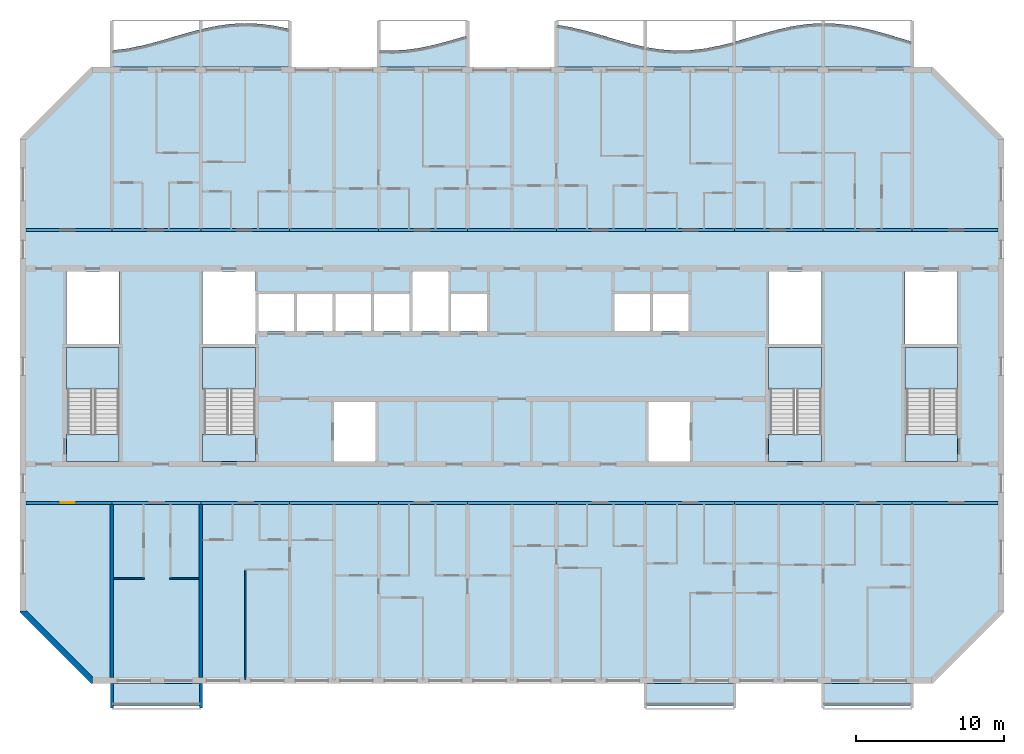
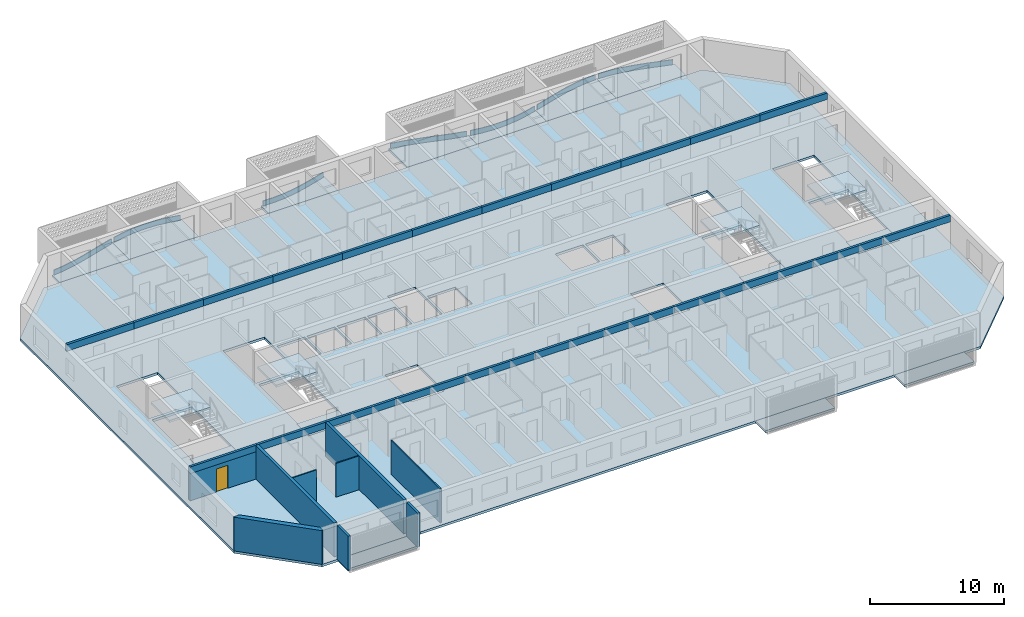
# One storey, part 1 of 28: 22 beams, 19 slabs, 9 walls, 7 plates, 1 door, 1 opening, 4 elements without a shape of their own.
"""IFC4 building model written with IfcOpenShell, lengths in metres."""

from ifc_helpers import new_model, si_unit, direction, frame, frame_2d, origin, origin_2d, place, context, subcontext, project, spatial, polyline, rectangle, outline, extrude, source, transform, mapped, material, layer, layer_set, material_profile, profile_set, type_object, element, fill, aggregate, save


model = new_model("IFC4")

# Units and contexts
model_context = context("Model", 3, precision=1e-05, world=origin(), true_north=direction((0.0, 1.0)))
body_context = subcontext(model_context, "Body", "Model", "MODEL_VIEW")
ifc_project = project(units=[si_unit("LENGTHUNIT", "METRE"), si_unit("AREAUNIT", "SQUARE_METRE"), si_unit("VOLUMEUNIT", "CUBIC_METRE"), si_unit("PLANEANGLEUNIT", "RADIAN"), si_unit("MASSUNIT", "GRAM", prefix="KILO")], contexts=[model_context])

# Site, building, storey
site_placement = place(None, origin())
site = spatial("IfcSite", under=ifc_project, at=site_placement, CompositionType="ELEMENT")
building_placement = place(site_placement, origin())
building = spatial("IfcBuilding", under=site, at=building_placement, Name="Poui Terraces", CompositionType="ELEMENT")
storey_placement = place(building_placement, frame((0.0, 0.0, 185.10009765625)))
storey = spatial("IfcBuildingStorey", under=building, at=storey_placement, Name="L51", CompositionType="ELEMENT", Elevation=185.10009765625)

# Beams
ifc_material_1 = material(Name="Concrete 50 MPa", Category="concrete")
ifc_material_profile = material_profile(ifc_material_1, rectangle(XDim=0.199951171875, YDim=0.60009765625, at=origin_2d()), Name="RC 200x600")
ifc_profile_set = profile_set([ifc_material_profile], Name="Concrete 50 MPa")
beam_type = type_object("IfcBeamType", Name="COUPLING BEAM 200x600 50MPa", PredefinedType="BEAM", material=ifc_profile_set)
shared_shape_1 = source(origin(), body_context, "Body", "SweptSolid", [
    extrude(rectangle(XDim=0.199951171875, YDim=0.60009765625, at=origin_2d()), origin(), (0.0, 0.0, 1.0), 5.800048828125),
])
for number, where, z_axis, x_axis, name in (
    (1, (18.199951171875, 12.0, 2.77978515625), (1.0, 0.0, 0.0), (0.0, 1.0, 0.0), "COUPLING BEAM LINE B BAY 1"),
    (2, (78.0, 12.0, 2.77978515625), (1.0, 0.0, 0.0), (0.0, 1.0, 0.0), "COUPLING BEAM LINE B BAY 11"),
    (3, (18.199951171875, 30.39990234375, 2.77978515625), (1.0, 0.0, 0.0), (0.0, 1.0, 0.0), "COUPLING BEAM LINE E BAY 1"),
    (4, (78.0, 30.39990234375, 2.77978515625), (1.0, 0.0, 0.0), (0.0, 1.0, 0.0), "COUPLING BEAM LINE E BAY 11"),
):
    element("IfcBeam", number, at=place(storey_placement, frame(where, z_axis=z_axis, x_axis=x_axis)), inside=storey, type_object=beam_type, Name=name, PredefinedType="BEAM", context=body_context, shape_type="MappedRepresentation", body=[
        mapped(shared_shape_1, transform((0.0, 0.0, 0.0))),
    ])
shared_shape_2 = source(origin(), body_context, "Body", "SweptSolid", [
    extrude(rectangle(XDim=0.199951171875, YDim=0.60009765625, at=origin_2d()), origin(), (0.0, 0.0, 1.0), 6.0),
])
for number, where, z_axis, x_axis, name in (
    (5, (24.0, 12.0, 2.77978515625), (1.0, 0.0, 0.0), (0.0, 1.0, 0.0), "COUPLING BEAM LINE B BAY 2"),
    (6, (30.0, 12.0, 2.77978515625), (1.0, 0.0, 0.0), (0.0, 1.0, 0.0), "COUPLING BEAM LINE B BAY 3"),
    (7, (36.0, 12.0, 2.77978515625), (1.0, 0.0, 0.0), (0.0, 1.0, 0.0), "COUPLING BEAM LINE B BAY 4"),
    (8, (42.0, 12.0, 2.77978515625), (1.0, 0.0, 0.0), (0.0, 1.0, 0.0), "COUPLING BEAM LINE B BAY 5"),
    (9, (48.0, 12.0, 2.77978515625), (1.0, 0.0, 0.0), (0.0, 1.0, 0.0), "COUPLING BEAM LINE B BAY 6"),
    (10, (54.0, 12.0, 2.77978515625), (1.0, 0.0, 0.0), (0.0, 1.0, 0.0), "COUPLING BEAM LINE B BAY 7"),
    (11, (60.0, 12.0, 2.77978515625), (1.0, 0.0, 0.0), (0.0, 1.0, 0.0), "COUPLING BEAM LINE B BAY 8"),
    (12, (66.0, 12.0, 2.77978515625), (1.0, 0.0, 0.0), (0.0, 1.0, 0.0), "COUPLING BEAM LINE B BAY 9"),
    (13, (72.0, 12.0, 2.77978515625), (1.0, 0.0, 0.0), (0.0, 1.0, 0.0), "COUPLING BEAM LINE B BAY 10"),
    (14, (24.0, 30.39990234375, 2.77978515625), (1.0, 0.0, 0.0), (0.0, 1.0, 0.0), "COUPLING BEAM LINE E BAY 2"),
    (15, (30.0, 30.39990234375, 2.77978515625), (1.0, 0.0, 0.0), (0.0, 1.0, 0.0), "COUPLING BEAM LINE E BAY 3"),
    (16, (36.0, 30.39990234375, 2.77978515625), (1.0, 0.0, 0.0), (0.0, 1.0, 0.0), "COUPLING BEAM LINE E BAY 4"),
    (17, (42.0, 30.39990234375, 2.77978515625), (1.0, 0.0, 0.0), (0.0, 1.0, 0.0), "COUPLING BEAM LINE E BAY 5"),
    (18, (48.0, 30.39990234375, 2.77978515625), (1.0, 0.0, 0.0), (0.0, 1.0, 0.0), "COUPLING BEAM LINE E BAY 6"),
    (19, (54.0, 30.39990234375, 2.77978515625), (1.0, 0.0, 0.0), (0.0, 1.0, 0.0), "COUPLING BEAM LINE E BAY 7"),
    (20, (60.0, 30.39990234375, 2.77978515625), (1.0, 0.0, 0.0), (0.0, 1.0, 0.0), "COUPLING BEAM LINE E BAY 8"),
    (21, (66.0, 30.39990234375, 2.77978515625), (1.0, 0.0, 0.0), (0.0, 1.0, 0.0), "COUPLING BEAM LINE E BAY 9"),
    (22, (72.0, 30.39990234375, 2.77978515625), (1.0, 0.0, 0.0), (0.0, 1.0, 0.0), "COUPLING BEAM LINE E BAY 10"),
):
    element("IfcBeam", number, at=place(storey_placement, frame(where, z_axis=z_axis, x_axis=x_axis)), inside=storey, type_object=beam_type, Name=name, PredefinedType="BEAM", context=body_context, shape_type="MappedRepresentation", body=[
        mapped(shared_shape_2, transform((0.0, 0.0, 0.0))),
    ])

# Slabs
ifc_material_2 = material(Name="Precast concrete 40 MPa", Category="concrete")
ifc_layer_1 = layer(ifc_material_2, 0.199951171875)
ifc_layer_set_1 = layer_set([ifc_layer_1], Name="Precast concrete 40 MPa")
slab_type_1 = type_object("IfcSlabType", Name="BALCONY SLAB 200", PredefinedType="FLOOR", material=ifc_layer_set_1)
slab_1_placement = place(storey_placement, frame((0.0, 0.0, -0.2001953125)))
element("IfcSlab", 23, at=slab_1_placement, inside=storey, type_object=slab_type_1, Name="BALCONY SLAB", PredefinedType="FLOOR", context=body_context, shape_type="SweptSolid", body=[
    extrude(outline(polyline([(24.0, 41.39990234375), (30.0, 41.39990234375), (30.0, 43.940185546875), (29.0, 43.67041015625), (28.0, 43.375244140625), (27.0, 43.08544921875), (26.0, 42.830322265625), (25.0, 42.63671875), (24.0, 42.52392578125), (24.0, 41.39990234375)])), origin(), (0.0, 0.0, 1.0), 0.2001953125),
])
slab_2_placement = place(storey_placement, frame((0.0, 0.0, -0.2001953125)))
element("IfcSlab", 24, at=slab_2_placement, inside=storey, type_object=slab_type_1, Name="BALCONY SLAB", PredefinedType="FLOOR", context=body_context, shape_type="SweptSolid", body=[
    extrude(outline(polyline([(30.0, 41.39990234375), (36.0, 41.39990234375), (36.0, 43.960693359375), (35.0, 44.171875), (34.0, 44.30615234375), (33.0, 44.349853515625), (32.0, 44.29833984375), (31.0, 44.156982421875), (30.0, 43.940185546875), (30.0, 41.39990234375)])), origin(), (0.0, 0.0, 1.0), 0.2001953125),
])
slab_3_placement = place(storey_placement, frame((0.0, 0.0, -0.2001953125)))
element("IfcSlab", 25, at=slab_3_placement, inside=storey, type_object=slab_type_1, Name="BALCONY SLAB", PredefinedType="FLOOR", context=body_context, shape_type="SweptSolid", body=[
    extrude(outline(polyline([(42.0, 41.39990234375), (48.0, 41.39990234375), (48.0, 43.524169921875), (47.0, 43.227783203125), (46.0, 42.951904296875), (45.0, 42.724609375), (44.0, 42.569091796875), (43.0, 42.502197265625), (42.0, 42.52978515625), (42.0, 41.39990234375)])), origin(), (0.0, 0.0, 1.0), 0.2001953125),
])
slab_4_placement = place(storey_placement, frame((0.0, 0.0, -0.2001953125)))
element("IfcSlab", 26, at=slab_4_placement, inside=storey, type_object=slab_type_1, Name="BALCONY SLAB", PredefinedType="FLOOR", context=body_context, shape_type="SweptSolid", body=[
    extrude(outline(polyline([(54.0, 41.39990234375), (60.0, 41.39990234375), (60.0, 42.740966796875), (59.0, 42.973388671875), (58.0, 43.252197265625), (57.0, 43.548828125), (56.0, 43.832763671875), (55.0, 44.07470703125), (54.0, 44.249755859375), (54.0, 41.39990234375)])), origin(), (0.0, 0.0, 1.0), 0.2001953125),
])
slab_5_placement = place(storey_placement, frame((0.0, 0.0, -0.2001953125)))
element("IfcSlab", 27, at=slab_5_placement, inside=storey, type_object=slab_type_1, Name="BALCONY SLAB", PredefinedType="FLOOR", context=body_context, shape_type="SweptSolid", body=[
    extrude(outline(polyline([(60.0, 41.39990234375), (66.0, 41.39990234375), (66.0, 43.08544921875), (65.0, 42.830322265625), (64.0, 42.63671875), (63.0, 42.52392578125), (62.0, 42.504150390625), (61.0, 42.5791015625), (60.0, 42.740966796875), (60.0, 41.39990234375)])), origin(), (0.0, 0.0, 1.0), 0.2001953125),
])
slab_6_placement = place(storey_placement, frame((0.0, 0.0, -0.2001953125)))
element("IfcSlab", 28, at=slab_6_placement, inside=storey, type_object=slab_type_1, Name="BALCONY SLAB", PredefinedType="FLOOR", context=body_context, shape_type="SweptSolid", body=[
    extrude(outline(polyline([(66.0, 41.39990234375), (72.0, 41.39990234375), (72.0, 44.349853515625), (71.0, 44.29833984375), (70.0, 44.156982421875), (69.0, 43.940185546875), (68.0, 43.67041015625), (67.0, 43.375244140625), (66.0, 43.08544921875), (66.0, 41.39990234375)])), origin(), (0.0, 0.0, 1.0), 0.2001953125),
])
slab_7_placement = place(storey_placement, frame((0.0, 0.0, -0.2001953125)))
element("IfcSlab", 29, at=slab_7_placement, inside=storey, type_object=slab_type_1, Name="BALCONY SLAB", PredefinedType="FLOOR", context=body_context, shape_type="SweptSolid", body=[
    extrude(outline(polyline([(72.0, 41.39990234375), (78.0, 41.39990234375), (78.0, 43.108642578125), (77.0, 43.400146484375), (76.0, 43.6943359375), (75.0, 43.960693359375), (74.0, 44.171875), (73.0, 44.30615234375), (72.0, 44.349853515625), (72.0, 41.39990234375)])), origin(), (0.0, 0.0, 1.0), 0.2001953125),
])

# Stair, slabs
stair_type = type_object("IfcStairType", Name="EXIT STAIR 1650 50 MPA", PredefinedType="HALF_TURN_STAIR", material=ifc_material_1)
stair_1_placement = place(storey_placement, origin())
stair_1 = element("IfcStair", 30, at=stair_1_placement, inside=storey, type_object=stair_type, Name="L51 CORE STAIR EAST", PredefinedType="HALF_TURN_STAIR")
ifc_layer_2 = layer(ifc_material_1, 0.199951171875)
ifc_layer_set_2 = layer_set([ifc_layer_2], Name="Concrete 50 MPa")
slab_type_2 = type_object("IfcSlabType", Name="STAIR LANDING 200 50 MPA", PredefinedType="LANDING", material=ifc_layer_set_2)
slab_8_placement = place(storey_placement, frame((0.0, 0.0, 1.44970703125)))
slab_8 = element("IfcSlab", 31, at=slab_8_placement, type_object=slab_type_2, Name="ST-CE landing 1", PredefinedType="LANDING", context=body_context, shape_type="SweptSolid", body=[
    extrude(outline(polyline([(68.324951171875, 19.679931640625), (71.875, 19.679931640625), (71.875, 22.47509765625), (68.324951171875, 22.47509765625), (68.324951171875, 19.679931640625)])), origin(), (0.0, 0.0, 1.0), 0.2001953125),
])
slab_9_placement = place(storey_placement, frame((0.0, 0.0, -0.2001953125)))
slab_9 = element("IfcSlab", 32, at=slab_9_placement, type_object=slab_type_2, Name="ST-CE landing 2", PredefinedType="LANDING", context=body_context, shape_type="SweptSolid", body=[
    extrude(outline(polyline([(68.324951171875, 14.800048828125), (71.875, 14.800048828125), (71.875, 16.60009765625), (68.324951171875, 16.60009765625), (68.324951171875, 14.800048828125)])), origin(), (0.0, 0.0, 1.0), 0.2001953125),
])
aggregate(stair_1, [slab_8, slab_9])

stair_2_placement = place(storey_placement, origin())
stair_2 = element("IfcStair", 33, at=stair_2_placement, inside=storey, type_object=stair_type, Name="L51 CORE STAIR WEST", PredefinedType="HALF_TURN_STAIR")
slab_10_placement = place(storey_placement, frame((0.0, 0.0, 1.44970703125)))
slab_10 = element("IfcSlab", 34, at=slab_10_placement, type_object=slab_type_2, Name="ST-CW landing 1", PredefinedType="LANDING", context=body_context, shape_type="SweptSolid", body=[
    extrude(outline(polyline([(30.125, 19.679931640625), (33.675048828125, 19.679931640625), (33.675048828125, 22.47509765625), (30.125, 22.47509765625), (30.125, 19.679931640625)])), origin(), (0.0, 0.0, 1.0), 0.2001953125),
])
slab_11_placement = place(storey_placement, frame((0.0, 0.0, -0.2001953125)))
slab_11 = element("IfcSlab", 35, at=slab_11_placement, type_object=slab_type_2, Name="ST-CW landing 2", PredefinedType="LANDING", context=body_context, shape_type="SweptSolid", body=[
    extrude(outline(polyline([(30.125, 14.800048828125), (33.675048828125, 14.800048828125), (33.675048828125, 16.60009765625), (30.125, 16.60009765625), (30.125, 14.800048828125)])), origin(), (0.0, 0.0, 1.0), 0.2001953125),
])
aggregate(stair_2, [slab_10, slab_11])

stair_3_placement = place(storey_placement, origin())
stair_3 = element("IfcStair", 36, at=stair_3_placement, inside=storey, type_object=stair_type, Name="L51 TIP STAIR EAST", PredefinedType="HALF_TURN_STAIR")
slab_12_placement = place(storey_placement, frame((0.0, 0.0, 1.44970703125)))
slab_12 = element("IfcSlab", 37, at=slab_12_placement, type_object=slab_type_2, Name="ST-E landing 1", PredefinedType="LANDING", context=body_context, shape_type="SweptSolid", body=[
    extrude(outline(polyline([(77.52490234375, 19.679931640625), (81.074951171875, 19.679931640625), (81.074951171875, 22.47509765625), (77.52490234375, 22.47509765625), (77.52490234375, 19.679931640625)])), origin(), (0.0, 0.0, 1.0), 0.2001953125),
])
slab_13_placement = place(storey_placement, frame((0.0, 0.0, -0.2001953125)))
slab_13 = element("IfcSlab", 38, at=slab_13_placement, type_object=slab_type_2, Name="ST-E landing 2", PredefinedType="LANDING", context=body_context, shape_type="SweptSolid", body=[
    extrude(outline(polyline([(77.52490234375, 14.800048828125), (81.074951171875, 14.800048828125), (81.074951171875, 16.60009765625), (77.52490234375, 16.60009765625), (77.52490234375, 14.800048828125)])), origin(), (0.0, 0.0, 1.0), 0.2001953125),
])
aggregate(stair_3, [slab_12, slab_13])

stair_4_placement = place(storey_placement, origin())
stair_4 = element("IfcStair", 39, at=stair_4_placement, inside=storey, type_object=stair_type, Name="L51 TIP STAIR WEST", PredefinedType="HALF_TURN_STAIR")
slab_14_placement = place(storey_placement, frame((0.0, 0.0, 1.44970703125)))
slab_14 = element("IfcSlab", 40, at=slab_14_placement, type_object=slab_type_2, Name="ST-W landing 1", PredefinedType="LANDING", context=body_context, shape_type="SweptSolid", body=[
    extrude(outline(polyline([(20.925048828125, 19.679931640625), (24.47509765625, 19.679931640625), (24.47509765625, 22.47509765625), (20.925048828125, 22.47509765625), (20.925048828125, 19.679931640625)])), origin(), (0.0, 0.0, 1.0), 0.2001953125),
])
slab_15_placement = place(storey_placement, frame((0.0, 0.0, -0.2001953125)))
slab_15 = element("IfcSlab", 41, at=slab_15_placement, type_object=slab_type_2, Name="ST-W landing 2", PredefinedType="LANDING", context=body_context, shape_type="SweptSolid", body=[
    extrude(outline(polyline([(20.925048828125, 14.800048828125), (24.47509765625, 14.800048828125), (24.47509765625, 16.60009765625), (20.925048828125, 16.60009765625), (20.925048828125, 14.800048828125)])), origin(), (0.0, 0.0, 1.0), 0.2001953125),
])
aggregate(stair_4, [slab_14, slab_15])

# Plates
ifc_layer_3 = layer(ifc_material_2, 0.080078125)
ifc_layer_set_3 = layer_set([ifc_layer_3], Name="Precast concrete 40 MPa")
plate_type = type_object("IfcPlateType", Name="SUNSHADE UPSTAND 80", PredefinedType="SHEET", material=ifc_layer_set_3)
plate_1_placement = place(storey_placement, origin())
element("IfcPlate", 42, at=plate_1_placement, inside=storey, type_object=plate_type, Name="SUNSHADE UPSTAND", PredefinedType="SHEET", context=body_context, shape_type="SweptSolid", body=[
    extrude(outline(polyline([(24.993896484375, 42.631103515625), (24.120361328125, 42.52783203125), (24.129638671875, 42.448486328125), (25.006103515625, 42.552001953125), (26.0087890625, 42.746337890625), (27.010498046875, 43.001708984375), (28.01123046875, 43.2919921875), (29.010986328125, 43.5869140625), (29.885498046875, 43.8251953125), (29.864501953125, 43.90234375), (28.989013671875, 43.663818359375), (27.98876953125, 43.36865234375), (26.989501953125, 43.0791015625), (25.9912109375, 42.824462890625), (24.993896484375, 42.631103515625)])), origin(), (0.0, 0.0, 1.0), 0.449951171875),
])
plate_2_placement = place(storey_placement, origin())
element("IfcPlate", 43, at=plate_2_placement, inside=storey, type_object=plate_type, Name="SUNSHADE UPSTAND", PredefinedType="SHEET", context=body_context, shape_type="SweptSolid", body=[
    extrude(outline(polyline([(30.992919921875, 44.1513671875), (30.11669921875, 43.96484375), (30.13330078125, 43.88671875), (31.007080078125, 44.072509765625), (32.00390625, 44.21337890625), (33.000244140625, 44.264892578125), (33.99658203125, 44.221435546875), (34.993408203125, 44.08740234375), (35.866943359375, 43.906494140625), (35.883056640625, 43.984619140625), (35.006591796875, 44.166259765625), (34.00341796875, 44.301025390625), (32.999755859375, 44.344970703125), (31.99609375, 44.293212890625), (30.992919921875, 44.1513671875)])), origin(), (0.0, 0.0, 1.0), 0.449951171875),
])
plate_3_placement = place(storey_placement, origin())
element("IfcPlate", 44, at=plate_3_placement, inside=storey, type_object=plate_type, Name="SUNSHADE UPSTAND", PredefinedType="SHEET", context=body_context, shape_type="SweptSolid", body=[
    extrude(outline(polyline([(42.9990234375, 42.4970703125), (42.1259765625, 42.51611328125), (42.1240234375, 42.436279296875), (43.0009765625, 42.4169921875), (44.00439453125, 42.484375), (45.007568359375, 42.64013671875), (46.009765625, 42.867919921875), (47.010986328125, 43.144287109375), (47.886474609375, 43.40380859375), (47.863525390625, 43.48046875), (46.989013671875, 43.22119140625), (45.990234375, 42.945556640625), (44.992431640625, 42.71875), (43.99560546875, 42.56396484375), (42.9990234375, 42.4970703125)])), origin(), (0.0, 0.0, 1.0), 0.449951171875),
])
plate_4_placement = place(storey_placement, origin())
element("IfcPlate", 45, at=plate_4_placement, inside=storey, type_object=plate_type, Name="SUNSHADE UPSTAND", PredefinedType="SHEET", context=body_context, shape_type="SweptSolid", body=[
    extrude(outline(polyline([(55.00830078125, 44.06884765625), (54.132080078125, 44.2265625), (54.117919921875, 44.147705078125), (54.99169921875, 43.990478515625), (55.98974609375, 43.7490234375), (56.98876953125, 43.46533203125), (57.989013671875, 43.168701171875), (58.989990234375, 42.8896484375), (59.86572265625, 42.6826171875), (59.88427734375, 42.760498046875), (59.010009765625, 42.967041015625), (58.010986328125, 43.24560546875), (57.01123046875, 43.542236328125), (56.01025390625, 43.826416015625), (55.00830078125, 44.06884765625)])), origin(), (0.0, 0.0, 1.0), 0.449951171875),
])
plate_5_placement = place(storey_placement, origin())
element("IfcPlate", 46, at=plate_5_placement, inside=storey, type_object=plate_type, Name="SUNSHADE UPSTAND", PredefinedType="SHEET", context=body_context, shape_type="SweptSolid", body=[
    extrude(outline(polyline([(61.004638671875, 42.57373046875), (60.131103515625, 42.7109375), (60.118896484375, 42.6318359375), (60.995361328125, 42.494140625), (61.998779296875, 42.419189453125), (63.002685546875, 42.43896484375), (64.006103515625, 42.552001953125), (65.0087890625, 42.746337890625), (65.884765625, 42.96728515625), (65.865234375, 43.044921875), (64.9912109375, 42.824462890625), (63.993896484375, 42.631103515625), (62.997314453125, 42.518798828125), (62.001220703125, 42.4990234375), (61.004638671875, 42.57373046875)])), origin(), (0.0, 0.0, 1.0), 0.449951171875),
])
plate_6_placement = place(storey_placement, origin())
element("IfcPlate", 47, at=plate_6_placement, inside=storey, type_object=plate_type, Name="SUNSHADE UPSTAND", PredefinedType="SHEET", context=body_context, shape_type="SweptSolid", body=[
    extrude(outline(polyline([(66.98876953125, 43.36865234375), (66.11376953125, 43.11376953125), (66.13623046875, 43.036865234375), (67.01123046875, 43.2919921875), (68.010986328125, 43.5869140625), (69.009521484375, 43.856201171875), (70.007080078125, 44.072509765625), (71.00390625, 44.21337890625), (71.877197265625, 44.263671875), (71.872802734375, 44.343505859375), (71.83154296875, 44.34130859375), (70.99609375, 44.293212890625), (69.992919921875, 44.1513671875), (68.990478515625, 43.93408203125), (67.989013671875, 43.663818359375), (66.98876953125, 43.36865234375)])), origin(), (0.0, 0.0, 1.0), 0.449951171875),
])
plate_7_placement = place(storey_placement, origin())
element("IfcPlate", 48, at=plate_7_placement, inside=storey, type_object=plate_type, Name="SUNSHADE UPSTAND", PredefinedType="SHEET", context=body_context, shape_type="SweptSolid", body=[
    extrude(outline(polyline([(73.003662109375, 44.301025390625), (72.168212890625, 44.342529296875), (72.126953125, 44.344482421875), (72.123046875, 44.2646484375), (72.996337890625, 44.221435546875), (73.9931640625, 44.08740234375), (74.99072265625, 43.876708984375), (75.9892578125, 43.610595703125), (76.98876953125, 43.31689453125), (77.86376953125, 43.060546875), (77.88623046875, 43.13720703125), (77.01123046875, 43.3935546875), (76.0107421875, 43.687744140625), (75.00927734375, 43.95458984375), (74.0068359375, 44.166259765625), (73.003662109375, 44.301025390625)])), origin(), (0.0, 0.0, 1.0), 0.449951171875),
])

# Slabs
ifc_material_3 = material(Name="Concrete 40 MPa", Category="concrete")
ifc_layer_4 = layer(ifc_material_3, 0.219970703125)
ifc_layer_set_4 = layer_set([ifc_layer_4], Name="Concrete 40 MPa")
slab_type_3 = type_object("IfcSlabType", Name="FLOOR SLAB 220", PredefinedType="FLOOR", material=ifc_layer_set_4)
shared_shape_3 = source(origin(), body_context, "Body", "SweptSolid", [
    extrude(outline(polyline([(0.0, 0.0), (4.800048828125, -4.800048828125), (61.599853515625, -4.800048828125), (66.39990234375, 0.0), (66.39990234375, 32.0), (61.599853515625, 36.7998046875), (4.800048828125, 36.7998046875), (0.0, 32.0), (0.0, 0.0)]), holes=[polyline([(21.199951171875, 10.199951171875), (21.199951171875, 14.199951171875), (24.0, 14.199951171875), (24.0, 10.199951171875), (21.199951171875, 10.199951171875)]), polyline([(3.224853515625, 17.849853515625), (6.675048828125, 17.849853515625), (6.675048828125, 12.0), (6.675048828125, 10.199951171875), (3.125, 10.199951171875), (3.125, 12.0), (3.224853515625, 12.0), (3.224853515625, 17.849853515625)]), polyline([(12.425048828125, 17.849853515625), (15.875, 17.849853515625), (15.875, 12.0), (15.875, 10.199951171875), (12.324951171875, 10.199951171875), (12.324951171875, 12.0), (12.425048828125, 12.0), (12.425048828125, 17.849853515625)]), polyline([(16.099853515625, 19.0), (16.099853515625, 21.5), (18.5, 21.5), (18.5, 19.0), (16.099853515625, 19.0)]), polyline([(18.699951171875, 19.0), (18.699951171875, 21.5), (21.099853515625, 21.5), (21.099853515625, 19.0), (18.699951171875, 19.0)]), polyline([(21.300048828125, 19.0), (21.300048828125, 21.5), (23.699951171875, 21.5), (23.699951171875, 19.0), (21.300048828125, 19.0)]), polyline([(23.89990234375, 19.0), (23.89990234375, 21.5), (26.300048828125, 21.5), (26.300048828125, 19.0), (23.89990234375, 19.0)]), polyline([(3.125, 23.0), (6.675048828125, 23.0), (6.675048828125, 18.125), (3.125, 18.125), (3.125, 23.0)]), polyline([(12.324951171875, 23.0), (15.875, 23.0), (15.875, 18.125), (12.324951171875, 18.125), (12.324951171875, 23.0)]), polyline([(42.39990234375, 10.199951171875), (42.39990234375, 14.199951171875), (45.199951171875, 14.199951171875), (45.199951171875, 10.199951171875), (42.39990234375, 10.199951171875)]), polyline([(50.625, 17.849853515625), (54.074951171875, 17.849853515625), (54.074951171875, 12.0), (54.074951171875, 10.199951171875), (50.52490234375, 10.199951171875), (50.52490234375, 12.0), (50.625, 12.0), (50.625, 17.849853515625)]), polyline([(59.824951171875, 17.849853515625), (63.27490234375, 17.849853515625), (63.27490234375, 12.0), (63.27490234375, 10.199951171875), (59.724853515625, 10.199951171875), (59.724853515625, 12.0), (59.824951171875, 12.0), (59.824951171875, 17.849853515625)]), polyline([(29.099853515625, 19.0), (29.099853515625, 21.5), (31.5, 21.5), (31.5, 19.0), (29.099853515625, 19.0)]), polyline([(40.099853515625, 19.0), (40.099853515625, 21.5), (42.5, 21.5), (42.5, 19.0), (40.099853515625, 19.0)]), polyline([(42.699951171875, 19.0), (42.699951171875, 21.5), (45.099853515625, 21.5), (45.099853515625, 19.0), (42.699951171875, 19.0)]), polyline([(50.52490234375, 18.125), (50.52490234375, 23.0), (54.074951171875, 23.0), (54.074951171875, 18.125), (50.52490234375, 18.125)]), polyline([(59.724853515625, 23.0), (63.27490234375, 23.0), (63.27490234375, 18.125), (59.724853515625, 18.125), (59.724853515625, 23.0)]), polyline([(26.5, 23.0), (28.89990234375, 23.0), (28.89990234375, 19.0), (26.5, 19.0), (26.5, 23.0)])]), origin(), (0.0, 0.0, 1.0), 0.22021484375),
])
slab_16_placement = place(storey_placement, frame((17.800048828125, 4.60009765625, -0.22021484375)))
element("IfcSlab", 49, at=slab_16_placement, inside=storey, type_object=slab_type_3, Name="FLOOR SLAB", PredefinedType="FLOOR", context=body_context, shape_type="MappedRepresentation", body=[
    mapped(shared_shape_3, transform((0.0, 0.0, 0.0))),
])
ifc_layer_5 = layer(ifc_material_2, 0.199951171875)
ifc_layer_set_5 = layer_set([ifc_layer_5], Name="Precast concrete 40 MPa")
slab_type_4 = type_object("IfcSlabType", Name="REAR BALCONY SLAB 200", PredefinedType="FLOOR", material=ifc_layer_set_5)
shared_shape_4 = source(origin(), body_context, "Body", "SweptSolid", [
    extrude(outline(polyline([(0.0, 0.0), (6.0, 0.0), (6.0, 1.5), (0.0, 1.5), (0.0, 0.0)])), origin(), (0.0, 0.0, 1.0), 0.2001953125),
])
for number, where, name in (
    (50, (24.0, -1.699951171875, -0.2001953125), "REAR BALCONY SLAB"),
    (51, (60.0, -1.699951171875, -0.2001953125), "REAR BALCONY SLAB"),
    (52, (72.0, -1.699951171875, -0.2001953125), "REAR BALCONY SLAB"),
):
    element("IfcSlab", number, at=place(storey_placement, frame(where)), inside=storey, type_object=slab_type_4, Name=name, PredefinedType="FLOOR", context=body_context, shape_type="MappedRepresentation", body=[
        mapped(shared_shape_4, transform((0.0, 0.0, 0.0))),
    ])

# Wall, opening, door
ifc_layer_6 = layer(ifc_material_1, 0.199951171875)
ifc_layer_set_6 = layer_set([ifc_layer_6], Name="Concrete 50 MPa")
wall_type_1 = type_object("IfcWallType", Name="CORRIDOR WALL 200 50MPa", PredefinedType="SHEAR", material=ifc_layer_set_6)
wall_1_placement = place(storey_placement, frame((18.199951171875, 12.0, 0.0), z_axis=(0.0, 0.0, 1.0), x_axis=(1.0, 0.0, 0.0)))
wall_1 = element("IfcWall", 53, at=wall_1_placement, inside=storey, type_object=wall_type_1, Name="CORRIDOR WALL LINE B BAY 1", PredefinedType="SHEAR", context=body_context, shape_type="SweptSolid", body=[
    extrude(rectangle(XDim=5.800048828125, YDim=0.199951171875, at=frame_2d((2.89990234375, 0.0))), origin(), (0.0, 0.0, 1.0), 2.47998046875),
])
opening_placement = place(wall_1_placement, frame((2.300048828125, 0.0, 0.0)))
opening = element("IfcOpeningElement", 54, at=opening_placement, cuts=wall_1, Name="Opening D100", PredefinedType="OPENING", context=body_context, shape_type="SweptSolid", body=[
    extrude(rectangle(XDim=1.0, YDim=2.10009765625, at=frame_2d((0.5, 1.050048828125))), frame((0.0, 0.10986328125, 0.0), z_axis=(0.0, -1.0, 0.0), x_axis=(1.0, 0.0, 0.0)), (0.0, 0.0, 1.0), 0.219970703125),
])
ifc_material_4 = material(Name="Solid core timber door", Category="wood")
door_type = type_object("IfcDoorType", Name="ACCESSIBLE INTERNAL DOOR 1000 X 2100", OperationType="NOTDEFINED", PredefinedType="DOOR", material=ifc_material_4)
door_placement = place(opening_placement, frame((1.0, 0.0, 0.0), z_axis=(0.0, 0.0, 1.0), x_axis=(-1.0, 0.0, 0.0)))
door = element("IfcDoor", 55, at=door_placement, inside=storey, type_object=door_type, Name="ACCESSIBLE INTERNAL DOOR 064", OperationType="SINGLE_SWING_RIGHT", OverallHeight=2.10009765625, OverallWidth=1.0, PredefinedType="DOOR", context=body_context, shape_type="SweptSolid", body=[
    extrude(rectangle(XDim=1.0, YDim=2.10009765625, at=frame_2d((0.5, 1.050048828125))), frame((0.0, 0.02490234375, 0.0), z_axis=(0.0, -1.0, 0.0), x_axis=(1.0, 0.0, 0.0)), (0.0, 0.0, 1.0), 0.050048828125),
])
fill(opening, door)

# Walls
ifc_layer_7 = layer(ifc_material_1, 0.25)
ifc_layer_set_7 = layer_set([ifc_layer_7], Name="Concrete 50 MPa")
wall_type_2 = type_object("IfcWallType", Name="CROSS WALL 250 50MPa", PredefinedType="SHEAR", material=ifc_layer_set_7)
for number, where, z_axis, x_axis, name in (
    (56, (24.0, 0.199951171875, 0.0), (0.0, 0.0, 1.0), (0.0, 1.0, 0.0), "CROSS WALL LINE 5 SOUTH"),
    (57, (30.0, 0.199951171875, 0.0), (0.0, 0.0, 1.0), (0.0, 1.0, 0.0), "CROSS WALL LINE 6 SOUTH"),
):
    element("IfcWall", number, at=place(storey_placement, frame(where, z_axis=z_axis, x_axis=x_axis)), inside=storey, type_object=wall_type_2, Name=name, PredefinedType="SHEAR", context=body_context, shape_type="SweptSolid", body=[
        extrude(rectangle(XDim=11.699951171875, YDim=0.25, at=frame_2d((5.85009765625, 0.0))), origin(), (0.0, 0.0, 1.0), 3.079833984375),
    ])
ifc_material_5 = material(Name="Plasterboard partition")
ifc_layer_8 = layer(ifc_material_5, 0.10009765625)
ifc_layer_set_8 = layer_set([ifc_layer_8], Name="Plasterboard partition")
wall_type_3 = type_object("IfcWallType", Name="FLAT PARTITION 100", PredefinedType="PARTITIONING", material=ifc_layer_set_8)
wall_2_placement = place(storey_placement, frame((24.135009765625, 6.89990234375, 0.0), z_axis=(0.0, 0.0, 1.0), x_axis=(1.0, 0.0, 0.0)))
element("IfcWall", 58, at=wall_2_placement, inside=storey, type_object=wall_type_3, Name="FLAT PARTITION 100", PredefinedType="PARTITIONING", context=body_context, shape_type="SweptSolid", body=[
    extrude(rectangle(XDim=2.06494140625, YDim=0.10009765625, at=frame_2d((1.032470703125, 0.0))), origin(), (0.0, 0.0, 1.0), 3.079833984375),
])
wall_3_placement = place(storey_placement, frame((27.89990234375, 6.89990234375, 0.0), z_axis=(0.0, 0.0, 1.0), x_axis=(1.0, 0.0, 0.0)))
element("IfcWall", 59, at=wall_3_placement, inside=storey, type_object=wall_type_3, Name="FLAT PARTITION 100", PredefinedType="PARTITIONING", context=body_context, shape_type="SweptSolid", body=[
    extrude(rectangle(XDim=1.965087890625, YDim=0.10009765625, at=frame_2d((0.982421875, 0.0))), origin(), (0.0, 0.0, 1.0), 3.079833984375),
])
wall_4_placement = place(storey_placement, frame((33.0, 0.06005859375, 0.0), z_axis=(0.0, 0.0, 1.0), x_axis=(0.0, 1.0, 0.0)))
element("IfcWall", 60, at=wall_4_placement, inside=storey, type_object=wall_type_3, Name="FLAT PARTITION 100", PredefinedType="PARTITIONING", context=body_context, shape_type="SweptSolid", body=[
    extrude(rectangle(XDim=7.389892578125, YDim=0.10009765625, at=frame_2d((3.69482421875, 0.0))), origin(), (0.0, 0.0, 1.0), 3.079833984375),
])
ifc_layer_9 = layer(ifc_material_2, 0.39990234375)
ifc_layer_set_9 = layer_set([ifc_layer_9], Name="Precast concrete 40 MPa")
wall_type_4 = type_object("IfcWallType", Name="TERRACOTTA CLAD CHAMFER WALL 400", PredefinedType="STANDARD", material=ifc_layer_set_9)
wall_5_placement = place(storey_placement, origin())
element("IfcWall", 61, at=wall_5_placement, inside=storey, type_object=wall_type_4, Name="CHAMFER WALL CH07", PredefinedType="STANDARD", context=body_context, shape_type="SweptSolid", body=[
    extrude(outline(polyline([(17.800048828125, 4.682861328125), (17.800048828125, 4.60009765625), (22.60009765625, -0.199951171875), (22.682861328125, -0.199951171875), (22.682861328125, 0.28271484375), (18.28271484375, 4.682861328125), (17.800048828125, 4.682861328125)])), origin(), (0.0, 0.0, 1.0), 3.079833984375),
])
ifc_layer_10 = layer(ifc_material_2, 0.199951171875)
ifc_layer_set_10 = layer_set([ifc_layer_10], Name="Precast concrete 40 MPa")
wall_type_5 = type_object("IfcWallType", Name="REAR FIN 200", PredefinedType="STANDARD", material=ifc_layer_set_10)
shared_shape_5 = source(origin(), body_context, "Body", "SweptSolid", [
    extrude(outline(polyline([(0.0, 0.0), (0.2001953125, 0.0), (0.2001953125, 1.650146484375), (0.0, 1.650146484375), (0.0, 0.0)])), origin(), (0.0, 0.0, 1.0), 3.099853515625),
])
for number, where, name in (
    (62, (23.89990234375, -1.85009765625, 0.0), "REAR FIN"),
    (63, (29.89990234375, -1.85009765625, 0.0), "REAR FIN"),
):
    element("IfcWall", number, at=place(storey_placement, frame(where)), inside=storey, type_object=wall_type_5, Name=name, PredefinedType="STANDARD", context=body_context, shape_type="MappedRepresentation", body=[
        mapped(shared_shape_5, transform((0.0, 0.0, 0.0))),
    ])

save(model, "model.ifc")
